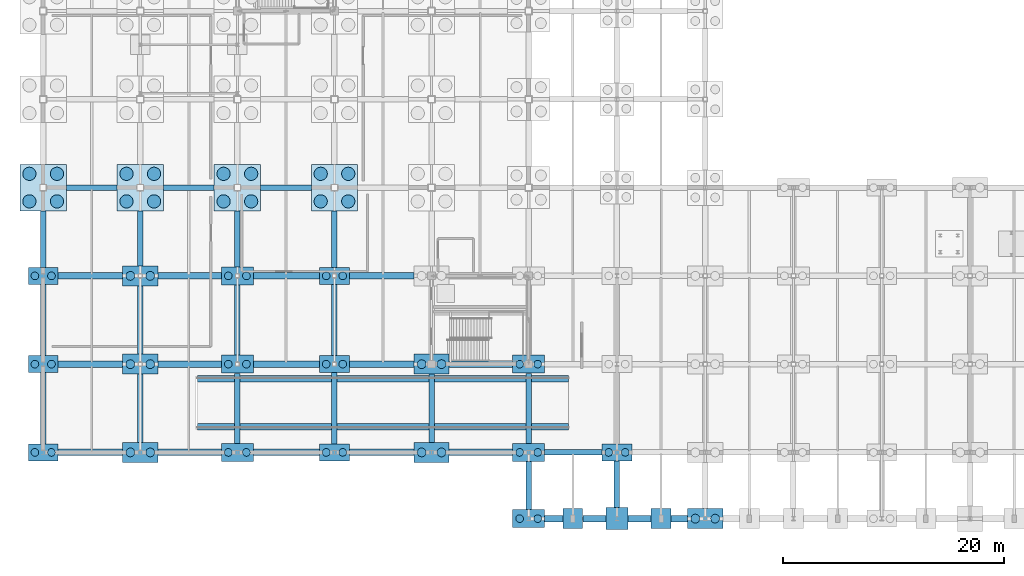
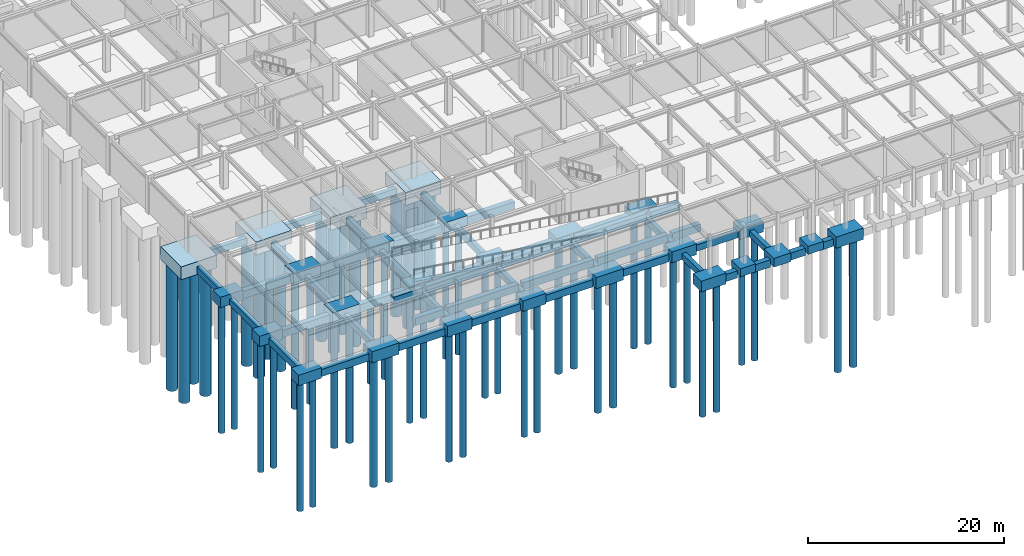
# One storey, part 1 of 72: 74 footings, 54 piles.
"""IFC4 building model written with IfcOpenShell, lengths in metres."""

from ifc_helpers import new_model, si_unit, direction, frame, origin, origin_2d, place, context, subcontext, project, spatial, rectangle, circle, extrude, material, material_profile, profile_set, type_object, element, save


model = new_model("IFC4")

# Units and contexts
model_context = context("Model", 3, precision=1e-05, world=origin(), true_north=direction((0.0, 1.0)))
body_context = subcontext(model_context, "Body", "Model", "MODEL_VIEW")
ifc_project = project(units=[si_unit("LENGTHUNIT", "METRE"), si_unit("AREAUNIT", "SQUARE_METRE"), si_unit("VOLUMEUNIT", "CUBIC_METRE"), si_unit("PLANEANGLEUNIT", "RADIAN"), si_unit("MASSUNIT", "GRAM", prefix="KILO")], contexts=[model_context])

# Site, building, storey
site_placement = place(None, origin())
site = spatial("IfcSite", under=ifc_project, at=site_placement, CompositionType="ELEMENT")
building_placement = place(site_placement, origin())
building = spatial("IfcBuilding", under=site, at=building_placement, Name="Zhaolan Boulevard Law Courts", CompositionType="ELEMENT")
storey_placement = place(building_placement, frame((0.0, 0.0, -4.800048828125)))
storey = spatial("IfcBuildingStorey", under=building, at=storey_placement, Name="B1", CompositionType="ELEMENT", Elevation=-4.800048828125)

# Piles
ifc_material_1 = material(Name="Concrete C40", Category="concrete")
ifc_material_profile_1 = material_profile(ifc_material_1, circle(Radius=0.60009765625, at=origin_2d()), Name="PILE-D1200")
ifc_profile_set_1 = profile_set([ifc_material_profile_1], Name="Concrete C40")
pile_type_1 = type_object("IfcPileType", Name="BORED PILE D1200", PredefinedType="BORED", material=ifc_profile_set_1)
for number, where, z_axis, x_axis, name in (
    (1, (-1.25, 28.75, -1.5), (0.0, 0.0, -1.0), (1.0, 0.0, 0.0), "Bored Pile P-1E-1"),
    (2, (1.25, 28.75, -1.5), (0.0, 0.0, -1.0), (1.0, 0.0, 0.0), "Bored Pile P-1E-2"),
    (3, (-1.25, 31.25, -1.5), (0.0, 0.0, -1.0), (1.0, 0.0, 0.0), "Bored Pile P-1E-3"),
    (4, (1.25, 31.25, -1.5), (0.0, 0.0, -1.0), (1.0, 0.0, 0.0), "Bored Pile P-1E-4"),
    (5, (7.550048828125, 28.75, -1.5), (0.0, 0.0, -1.0), (1.0, 0.0, 0.0), "Bored Pile P-2E-1"),
    (6, (10.050048828125, 28.75, -1.5), (0.0, 0.0, -1.0), (1.0, 0.0, 0.0), "Bored Pile P-2E-2"),
    (7, (7.550048828125, 31.25, -1.5), (0.0, 0.0, -1.0), (1.0, 0.0, 0.0), "Bored Pile P-2E-3"),
    (8, (10.050048828125, 31.25, -1.5), (0.0, 0.0, -1.0), (1.0, 0.0, 0.0), "Bored Pile P-2E-4"),
    (9, (16.35009765625, 28.75, -1.5), (0.0, 0.0, -1.0), (1.0, 0.0, 0.0), "Bored Pile P-3E-1"),
    (10, (18.85009765625, 28.75, -1.5), (0.0, 0.0, -1.0), (1.0, 0.0, 0.0), "Bored Pile P-3E-2"),
    (11, (16.35009765625, 31.25, -1.5), (0.0, 0.0, -1.0), (1.0, 0.0, 0.0), "Bored Pile P-3E-3"),
    (12, (18.85009765625, 31.25, -1.5), (0.0, 0.0, -1.0), (1.0, 0.0, 0.0), "Bored Pile P-3E-4"),
    (13, (25.14990234375, 28.75, -1.5), (0.0, 0.0, -1.0), (1.0, 0.0, 0.0), "Bored Pile P-4E-1"),
    (14, (27.64990234375, 28.75, -1.5), (0.0, 0.0, -1.0), (1.0, 0.0, 0.0), "Bored Pile P-4E-2"),
    (15, (25.14990234375, 31.25, -1.5), (0.0, 0.0, -1.0), (1.0, 0.0, 0.0), "Bored Pile P-4E-3"),
    (16, (27.64990234375, 31.25, -1.5), (0.0, 0.0, -1.0), (1.0, 0.0, 0.0), "Bored Pile P-4E-4"),
):
    element("IfcPile", number, at=place(storey_placement, frame(where, z_axis=z_axis, x_axis=x_axis)), inside=storey, type_object=pile_type_1, Name=name, PredefinedType="BORED", context=body_context, shape_type="SweptSolid", body=[
        extrude(circle(Radius=0.60009765625, at=origin_2d()), origin(), (0.0, 0.0, 1.0), 15.89990234375),
    ])
ifc_material_2 = material(Name="Concrete C40", Category="concrete")
ifc_material_profile_2 = material_profile(ifc_material_2, circle(Radius=0.35009765625, at=origin_2d()), Name="PILE-D700")
ifc_profile_set_2 = profile_set([ifc_material_profile_2], Name="Concrete C40")
pile_type_2 = type_object("IfcPileType", Name="BORED PILE D700", PredefinedType="BORED", material=ifc_profile_set_2)
for number, where, z_axis, x_axis, name in (
    (17, (-0.75, 6.0, -1.199951171875), (0.0, 0.0, -1.0), (1.0, 0.0, 0.0), "Bored Pile P-1B-1"),
    (18, (0.75, 6.0, -1.199951171875), (0.0, 0.0, -1.0), (1.0, 0.0, 0.0), "Bored Pile P-1B-2"),
    (19, (-0.75, 14.0, -1.199951171875), (0.0, 0.0, -1.0), (1.0, 0.0, 0.0), "Bored Pile P-1C-1"),
    (20, (0.75, 14.0, -1.199951171875), (0.0, 0.0, -1.0), (1.0, 0.0, 0.0), "Bored Pile P-1C-2"),
    (21, (-0.75, 22.0, -1.199951171875), (0.0, 0.0, -1.0), (1.0, 0.0, 0.0), "Bored Pile P-1D-1"),
    (22, (0.75, 22.0, -1.199951171875), (0.0, 0.0, -1.0), (1.0, 0.0, 0.0), "Bored Pile P-1D-2"),
):
    element("IfcPile", number, at=place(storey_placement, frame(where, z_axis=z_axis, x_axis=x_axis)), inside=storey, type_object=pile_type_2, Name=name, PredefinedType="BORED", context=body_context, shape_type="SweptSolid", body=[
        extrude(circle(Radius=0.35009765625, at=origin_2d()), origin(), (0.0, 0.0, 1.0), 16.199951171875),
    ])
for number, where, z_axis, x_axis, name in (
    (23, (16.780029296875, 6.0, -1.25), (0.0, 0.0, -1.0), (1.0, 0.0, 0.0), "Bored Pile P-3B-1"),
    (24, (18.419921875, 6.0, -1.25), (0.0, 0.0, -1.0), (1.0, 0.0, 0.0), "Bored Pile P-3B-2"),
    (25, (16.780029296875, 14.0, -1.25), (0.0, 0.0, -1.0), (1.0, 0.0, 0.0), "Bored Pile P-3C-1"),
    (26, (18.419921875, 14.0, -1.25), (0.0, 0.0, -1.0), (1.0, 0.0, 0.0), "Bored Pile P-3C-2"),
    (27, (16.780029296875, 22.0, -1.25), (0.0, 0.0, -1.0), (1.0, 0.0, 0.0), "Bored Pile P-3D-1"),
    (28, (18.419921875, 22.0, -1.25), (0.0, 0.0, -1.0), (1.0, 0.0, 0.0), "Bored Pile P-3D-2"),
):
    element("IfcPile", number, at=place(storey_placement, frame(where, z_axis=z_axis, x_axis=x_axis)), inside=storey, type_object=pile_type_2, Name=name, PredefinedType="BORED", context=body_context, shape_type="SweptSolid", body=[
        extrude(circle(Radius=0.35009765625, at=origin_2d()), origin(), (0.0, 0.0, 1.0), 16.14990234375),
    ])
for number, where, z_axis, x_axis, name in (
    (29, (25.64990234375, 6.0, -1.199951171875), (0.0, 0.0, -1.0), (1.0, 0.0, 0.0), "Bored Pile P-4B-1"),
    (30, (27.14990234375, 6.0, -1.199951171875), (0.0, 0.0, -1.0), (1.0, 0.0, 0.0), "Bored Pile P-4B-2"),
    (31, (25.64990234375, 14.0, -1.199951171875), (0.0, 0.0, -1.0), (1.0, 0.0, 0.0), "Bored Pile P-4C-1"),
    (32, (27.14990234375, 14.0, -1.199951171875), (0.0, 0.0, -1.0), (1.0, 0.0, 0.0), "Bored Pile P-4C-2"),
    (33, (25.64990234375, 22.0, -1.199951171875), (0.0, 0.0, -1.0), (1.0, 0.0, 0.0), "Bored Pile P-4D-1"),
    (34, (27.14990234375, 22.0, -1.199951171875), (0.0, 0.0, -1.0), (1.0, 0.0, 0.0), "Bored Pile P-4D-2"),
):
    element("IfcPile", number, at=place(storey_placement, frame(where, z_axis=z_axis, x_axis=x_axis)), inside=storey, type_object=pile_type_2, Name=name, PredefinedType="BORED", context=body_context, shape_type="SweptSolid", body=[
        extrude(circle(Radius=0.35009765625, at=origin_2d()), origin(), (0.0, 0.0, 1.0), 16.199951171875),
    ])
for number, where, z_axis, x_axis, name in (
    (35, (43.179931640625, 0.0, -1.25), (0.0, 0.0, -1.0), (1.0, 0.0, 0.0), "Bored Pile P-6A-1"),
    (36, (44.820068359375, 0.0, -1.25), (0.0, 0.0, -1.0), (1.0, 0.0, 0.0), "Bored Pile P-6A-2"),
    (37, (43.179931640625, 6.0, -1.25), (0.0, 0.0, -1.0), (1.0, 0.0, 0.0), "Bored Pile P-6B-1"),
    (38, (44.820068359375, 6.0, -1.25), (0.0, 0.0, -1.0), (1.0, 0.0, 0.0), "Bored Pile P-6B-2"),
    (39, (43.179931640625, 14.0, -1.25), (0.0, 0.0, -1.0), (1.0, 0.0, 0.0), "Bored Pile P-6C-1"),
    (40, (44.820068359375, 14.0, -1.25), (0.0, 0.0, -1.0), (1.0, 0.0, 0.0), "Bored Pile P-6C-2"),
):
    element("IfcPile", number, at=place(storey_placement, frame(where, z_axis=z_axis, x_axis=x_axis)), inside=storey, type_object=pile_type_2, Name=name, PredefinedType="BORED", context=body_context, shape_type="SweptSolid", body=[
        extrude(circle(Radius=0.35009765625, at=origin_2d()), origin(), (0.0, 0.0, 1.0), 16.14990234375),
    ])
for number, where, z_axis, x_axis, name in (
    (41, (51.25, 6.0, -1.199951171875), (0.0, 0.0, -1.0), (1.0, 0.0, 0.0), "Bored Pile P-7B-1"),
    (42, (52.75, 6.0, -1.199951171875), (0.0, 0.0, -1.0), (1.0, 0.0, 0.0), "Bored Pile P-7B-2"),
):
    element("IfcPile", number, at=place(storey_placement, frame(where, z_axis=z_axis, x_axis=x_axis)), inside=storey, type_object=pile_type_2, Name=name, PredefinedType="BORED", context=body_context, shape_type="SweptSolid", body=[
        extrude(circle(Radius=0.35009765625, at=origin_2d()), origin(), (0.0, 0.0, 1.0), 16.199951171875),
    ])
ifc_material_3 = material(Name="Concrete C40", Category="concrete")
ifc_material_profile_3 = material_profile(ifc_material_3, circle(Radius=0.39990234375, at=origin_2d()), Name="PILE-D800")
ifc_profile_set_3 = profile_set([ifc_material_profile_3], Name="Concrete C40")
pile_type_3 = type_object("IfcPileType", Name="BORED PILE D800", PredefinedType="BORED", material=ifc_profile_set_3)
for number, where, z_axis, x_axis, name in (
    (43, (7.89990234375, 6.0, -1.300048828125), (0.0, 0.0, -1.0), (1.0, 0.0, 0.0), "Bored Pile P-2B-1"),
    (44, (9.699951171875, 6.0, -1.300048828125), (0.0, 0.0, -1.0), (1.0, 0.0, 0.0), "Bored Pile P-2B-2"),
    (45, (7.89990234375, 14.0, -1.300048828125), (0.0, 0.0, -1.0), (1.0, 0.0, 0.0), "Bored Pile P-2C-1"),
    (46, (9.699951171875, 14.0, -1.300048828125), (0.0, 0.0, -1.0), (1.0, 0.0, 0.0), "Bored Pile P-2C-2"),
    (47, (7.89990234375, 22.0, -1.300048828125), (0.0, 0.0, -1.0), (1.0, 0.0, 0.0), "Bored Pile P-2D-1"),
    (48, (9.699951171875, 22.0, -1.300048828125), (0.0, 0.0, -1.0), (1.0, 0.0, 0.0), "Bored Pile P-2D-2"),
    (49, (34.300048828125, 6.0, -1.300048828125), (0.0, 0.0, -1.0), (1.0, 0.0, 0.0), "Bored Pile P-5B-1"),
    (50, (36.10009765625, 6.0, -1.300048828125), (0.0, 0.0, -1.0), (1.0, 0.0, 0.0), "Bored Pile P-5B-2"),
    (51, (34.300048828125, 14.0, -1.300048828125), (0.0, 0.0, -1.0), (1.0, 0.0, 0.0), "Bored Pile P-5C-1"),
    (52, (36.10009765625, 14.0, -1.300048828125), (0.0, 0.0, -1.0), (1.0, 0.0, 0.0), "Bored Pile P-5C-2"),
    (53, (59.10009765625, 0.0, -1.300048828125), (0.0, 0.0, -1.0), (1.0, 0.0, 0.0), "Bored Pile P-8A-1"),
    (54, (60.89990234375, 0.0, -1.300048828125), (0.0, 0.0, -1.0), (1.0, 0.0, 0.0), "Bored Pile P-8A-2"),
):
    element("IfcPile", number, at=place(storey_placement, frame(where, z_axis=z_axis, x_axis=x_axis)), inside=storey, type_object=pile_type_3, Name=name, PredefinedType="BORED", context=body_context, shape_type="SweptSolid", body=[
        extrude(circle(Radius=0.39990234375, at=origin_2d()), origin(), (0.0, 0.0, 1.0), 16.10009765625),
    ])

# Footings
ifc_material_4 = material(Name="Concrete C40", Category="concrete")
footing_type_1 = type_object("IfcFootingType", Name="PAD FOOTING 1800X1800X1000", PredefinedType="PAD_FOOTING", material=ifc_material_4)
for number, where, z_axis, x_axis, name in (
    (55, (48.0, 0.0, -1.0), (0.0, 0.0, 1.0), (1.0, 0.0, 0.0), "Pilaster Pad Footing PFP-01"),
    (56, (56.0, 0.0, -1.0), (0.0, 0.0, 1.0), (1.0, 0.0, 0.0), "Pilaster Pad Footing PFP-02"),
):
    element("IfcFooting", number, at=place(storey_placement, frame(where, z_axis=z_axis, x_axis=x_axis)), inside=storey, type_object=footing_type_1, Name=name, PredefinedType="PAD_FOOTING", context=body_context, shape_type="SweptSolid", body=[
        extrude(rectangle(XDim=1.800048828125, YDim=1.800048828125, at=origin_2d()), origin(), (0.0, 0.0, 1.0), 1.0),
    ])
ifc_material_5 = material(Name="Concrete C40", Category="concrete")
footing_type_2 = type_object("IfcFootingType", Name="PAD FOOTING 2000X2000X1100", PredefinedType="PAD_FOOTING", material=ifc_material_5)
footing_1_placement = place(storey_placement, frame((52.0, 0.0, -1.10009765625), z_axis=(0.0, 0.0, 1.0), x_axis=(1.0, 0.0, 0.0)))
element("IfcFooting", 57, at=footing_1_placement, inside=storey, type_object=footing_type_2, Name="Pad Footing PF-7A", PredefinedType="PAD_FOOTING", context=body_context, shape_type="SweptSolid", body=[
    extrude(rectangle(XDim=2.0, YDim=2.0, at=origin_2d()), origin(), (0.0, 0.0, 1.0), 1.10009765625),
])
ifc_material_6 = material(Name="Concrete C40", Category="concrete")
footing_type_3 = type_object("IfcFootingType", Name="PILE CAP 2700X1550X1300", PredefinedType="PILE_CAP", material=ifc_material_6)
for number, where, z_axis, x_axis, name in (
    (58, (0.0, 6.0, -1.2998046875), (0.0, 0.0, 1.0), (1.0, 0.0, 0.0), "Pile Cap PC-1B"),
    (59, (0.0, 14.0, -1.2998046875), (0.0, 0.0, 1.0), (1.0, 0.0, 0.0), "Pile Cap PC-1C"),
    (60, (0.0, 22.0, -1.2998046875), (0.0, 0.0, 1.0), (1.0, 0.0, 0.0), "Pile Cap PC-1D"),
    (61, (26.39990234375, 6.0, -1.2998046875), (0.0, 0.0, 1.0), (1.0, 0.0, 0.0), "Pile Cap PC-4B"),
    (62, (26.39990234375, 14.0, -1.2998046875), (0.0, 0.0, 1.0), (1.0, 0.0, 0.0), "Pile Cap PC-4C"),
    (63, (26.39990234375, 22.0, -1.2998046875), (0.0, 0.0, 1.0), (1.0, 0.0, 0.0), "Pile Cap PC-4D"),
    (64, (52.0, 6.0, -1.2998046875), (0.0, 0.0, 1.0), (1.0, 0.0, 0.0), "Pile Cap PC-7B"),
):
    element("IfcFooting", number, at=place(storey_placement, frame(where, z_axis=z_axis, x_axis=x_axis)), inside=storey, type_object=footing_type_3, Name=name, PredefinedType="PILE_CAP", context=body_context, shape_type="SweptSolid", body=[
        extrude(rectangle(XDim=2.699951171875, YDim=1.550048828125, at=origin_2d()), origin(), (0.0, 0.0, 1.0), 1.300048828125),
    ])
ifc_material_7 = material(Name="Concrete C40", Category="concrete")
footing_type_4 = type_object("IfcFootingType", Name="PILE CAP 2900X1650X1350", PredefinedType="PILE_CAP", material=ifc_material_7)
for number, where, z_axis, x_axis, name in (
    (65, (17.60009765625, 6.0, -1.35009765625), (0.0, 0.0, 1.0), (1.0, 0.0, 0.0), "Pile Cap PC-3B"),
    (66, (17.60009765625, 14.0, -1.35009765625), (0.0, 0.0, 1.0), (1.0, 0.0, 0.0), "Pile Cap PC-3C"),
    (67, (17.60009765625, 22.0, -1.35009765625), (0.0, 0.0, 1.0), (1.0, 0.0, 0.0), "Pile Cap PC-3D"),
    (68, (44.0, 0.0, -1.35009765625), (0.0, 0.0, 1.0), (1.0, 0.0, 0.0), "Pile Cap PC-6A"),
    (69, (44.0, 6.0, -1.35009765625), (0.0, 0.0, 1.0), (1.0, 0.0, 0.0), "Pile Cap PC-6B"),
    (70, (44.0, 14.0, -1.35009765625), (0.0, 0.0, 1.0), (1.0, 0.0, 0.0), "Pile Cap PC-6C"),
):
    element("IfcFooting", number, at=place(storey_placement, frame(where, z_axis=z_axis, x_axis=x_axis)), inside=storey, type_object=footing_type_4, Name=name, PredefinedType="PILE_CAP", context=body_context, shape_type="SweptSolid", body=[
        extrude(rectangle(XDim=2.89990234375, YDim=1.64990234375, at=origin_2d()), origin(), (0.0, 0.0, 1.0), 1.35009765625),
    ])
ifc_material_8 = material(Name="Concrete C40", Category="concrete")
footing_type_5 = type_object("IfcFootingType", Name="PILE CAP 3200X1800X1400", PredefinedType="PILE_CAP", material=ifc_material_8)
for number, where, z_axis, x_axis, name in (
    (71, (8.800048828125, 6.0, -1.39990234375), (0.0, 0.0, 1.0), (1.0, 0.0, 0.0), "Pile Cap PC-2B"),
    (72, (8.800048828125, 14.0, -1.39990234375), (0.0, 0.0, 1.0), (1.0, 0.0, 0.0), "Pile Cap PC-2C"),
    (73, (8.800048828125, 22.0, -1.39990234375), (0.0, 0.0, 1.0), (1.0, 0.0, 0.0), "Pile Cap PC-2D"),
    (74, (35.199951171875, 6.0, -1.39990234375), (0.0, 0.0, 1.0), (1.0, 0.0, 0.0), "Pile Cap PC-5B"),
    (75, (35.199951171875, 14.0, -1.39990234375), (0.0, 0.0, 1.0), (1.0, 0.0, 0.0), "Pile Cap PC-5C"),
    (76, (60.0, 0.0, -1.39990234375), (0.0, 0.0, 1.0), (1.0, 0.0, 0.0), "Pile Cap PC-8A"),
):
    element("IfcFooting", number, at=place(storey_placement, frame(where, z_axis=z_axis, x_axis=x_axis)), inside=storey, type_object=footing_type_5, Name=name, PredefinedType="PILE_CAP", context=body_context, shape_type="SweptSolid", body=[
        extrude(rectangle(XDim=3.199951171875, YDim=1.800048828125, at=origin_2d()), origin(), (0.0, 0.0, 1.0), 1.39990234375),
    ])
ifc_material_9 = material(Name="Concrete C40", Category="concrete")
footing_type_6 = type_object("IfcFootingType", Name="PILE CAP 4200X4200X1600", PredefinedType="PILE_CAP", material=ifc_material_9)
for number, where, z_axis, x_axis, name in (
    (77, (0.0, 30.0, -1.60009765625), (0.0, 0.0, 1.0), (1.0, 0.0, 0.0), "Pile Cap PC-1E"),
    (78, (8.800048828125, 30.0, -1.60009765625), (0.0, 0.0, 1.0), (1.0, 0.0, 0.0), "Pile Cap PC-2E"),
    (79, (17.60009765625, 30.0, -1.60009765625), (0.0, 0.0, 1.0), (1.0, 0.0, 0.0), "Pile Cap PC-3E"),
    (80, (26.39990234375, 30.0, -1.60009765625), (0.0, 0.0, 1.0), (1.0, 0.0, 0.0), "Pile Cap PC-4E"),
):
    element("IfcFooting", number, at=place(storey_placement, frame(where, z_axis=z_axis, x_axis=x_axis)), inside=storey, type_object=footing_type_6, Name=name, PredefinedType="PILE_CAP", context=body_context, shape_type="SweptSolid", body=[
        extrude(rectangle(XDim=4.199951171875, YDim=4.199951171875, at=origin_2d()), origin(), (0.0, 0.0, 1.0), 1.60009765625),
    ])
ifc_material_10 = material(Name="Concrete C40", Category="concrete")
ifc_material_profile_4 = material_profile(ifc_material_10, rectangle(XDim=0.60009765625, YDim=0.89990234375, at=origin_2d()), Name="RC600x900")
ifc_profile_set_4 = profile_set([ifc_material_profile_4], Name="Concrete C40")
footing_type_7 = type_object("IfcFootingType", Name="STRIP FOOTING 600X900", PredefinedType="STRIP_FOOTING", material=ifc_profile_set_4)
footing_2_placement = place(storey_placement, frame((14.0, 8.320068359375, -0.449951171875), z_axis=(1.0, 0.0, 0.0), x_axis=(0.0, 1.0, 0.0)))
element("IfcFooting", 81, at=footing_2_placement, inside=storey, type_object=footing_type_7, Name="Vehicle Ramp Strip Footing SF-VRS-1", PredefinedType="STRIP_FOOTING", context=body_context, shape_type="SweptSolid", body=[
    extrude(rectangle(XDim=0.60009765625, YDim=0.89990234375, at=origin_2d()), origin(), (0.0, 0.0, 1.0), 3.347900390625),
])
for number, where, z_axis, x_axis, name in (
    (82, (17.85205078125, 8.320068359375, -0.449951171875), (1.0, 0.0, 0.0), (0.0, 1.0, 0.0), "Vehicle Ramp Strip Footing SF-VRS-2"),
    (83, (26.652099609375, 8.320068359375, -0.449951171875), (1.0, 0.0, 0.0), (0.0, 1.0, 0.0), "Vehicle Ramp Strip Footing SF-VRS-3"),
):
    element("IfcFooting", number, at=place(storey_placement, frame(where, z_axis=z_axis, x_axis=x_axis)), inside=storey, type_object=footing_type_7, Name=name, PredefinedType="STRIP_FOOTING", context=body_context, shape_type="SweptSolid", body=[
        extrude(rectangle(XDim=0.60009765625, YDim=0.89990234375, at=origin_2d()), origin(), (0.0, 0.0, 1.0), 8.2958984375),
    ])
footing_3_placement = place(storey_placement, frame((35.451904296875, 8.320068359375, -0.449951171875), z_axis=(1.0, 0.0, 0.0), x_axis=(0.0, 1.0, 0.0)))
element("IfcFooting", 84, at=footing_3_placement, inside=storey, type_object=footing_type_7, Name="Vehicle Ramp Strip Footing SF-VRS-4", PredefinedType="STRIP_FOOTING", context=body_context, shape_type="SweptSolid", body=[
    extrude(rectangle(XDim=0.60009765625, YDim=0.89990234375, at=origin_2d()), origin(), (0.0, 0.0, 1.0), 8.296142578125),
])
footing_4_placement = place(storey_placement, frame((44.251953125, 8.320068359375, -0.449951171875), z_axis=(1.0, 0.0, 0.0), x_axis=(0.0, 1.0, 0.0)))
element("IfcFooting", 85, at=footing_4_placement, inside=storey, type_object=footing_type_7, Name="Vehicle Ramp Strip Footing SF-VRS-5", PredefinedType="STRIP_FOOTING", context=body_context, shape_type="SweptSolid", body=[
    extrude(rectangle(XDim=0.60009765625, YDim=0.89990234375, at=origin_2d()), origin(), (0.0, 0.0, 1.0), 3.34814453125),
])
footing_5_placement = place(storey_placement, frame((14.0, 12.679931640625, -0.449951171875), z_axis=(1.0, 0.0, 0.0), x_axis=(0.0, 1.0, 0.0)))
element("IfcFooting", 86, at=footing_5_placement, inside=storey, type_object=footing_type_7, Name="Vehicle Ramp Strip Footing SF-VRN-1", PredefinedType="STRIP_FOOTING", context=body_context, shape_type="SweptSolid", body=[
    extrude(rectangle(XDim=0.60009765625, YDim=0.89990234375, at=origin_2d()), origin(), (0.0, 0.0, 1.0), 3.347900390625),
])
for number, where, z_axis, x_axis, name in (
    (87, (17.85205078125, 12.679931640625, -0.449951171875), (1.0, 0.0, 0.0), (0.0, 1.0, 0.0), "Vehicle Ramp Strip Footing SF-VRN-2"),
    (88, (26.652099609375, 12.679931640625, -0.449951171875), (1.0, 0.0, 0.0), (0.0, 1.0, 0.0), "Vehicle Ramp Strip Footing SF-VRN-3"),
):
    element("IfcFooting", number, at=place(storey_placement, frame(where, z_axis=z_axis, x_axis=x_axis)), inside=storey, type_object=footing_type_7, Name=name, PredefinedType="STRIP_FOOTING", context=body_context, shape_type="SweptSolid", body=[
        extrude(rectangle(XDim=0.60009765625, YDim=0.89990234375, at=origin_2d()), origin(), (0.0, 0.0, 1.0), 8.2958984375),
    ])
footing_6_placement = place(storey_placement, frame((35.451904296875, 12.679931640625, -0.449951171875), z_axis=(1.0, 0.0, 0.0), x_axis=(0.0, 1.0, 0.0)))
element("IfcFooting", 89, at=footing_6_placement, inside=storey, type_object=footing_type_7, Name="Vehicle Ramp Strip Footing SF-VRN-4", PredefinedType="STRIP_FOOTING", context=body_context, shape_type="SweptSolid", body=[
    extrude(rectangle(XDim=0.60009765625, YDim=0.89990234375, at=origin_2d()), origin(), (0.0, 0.0, 1.0), 8.296142578125),
])
footing_7_placement = place(storey_placement, frame((44.251953125, 12.679931640625, -0.449951171875), z_axis=(1.0, 0.0, 0.0), x_axis=(0.0, 1.0, 0.0)))
element("IfcFooting", 90, at=footing_7_placement, inside=storey, type_object=footing_type_7, Name="Vehicle Ramp Strip Footing SF-VRN-5", PredefinedType="STRIP_FOOTING", context=body_context, shape_type="SweptSolid", body=[
    extrude(rectangle(XDim=0.60009765625, YDim=0.89990234375, at=origin_2d()), origin(), (0.0, 0.0, 1.0), 3.34814453125),
])
ifc_material_11 = material(Name="Concrete C40", Category="concrete")
ifc_material_profile_5 = material_profile(ifc_material_11, rectangle(XDim=0.5, YDim=0.800048828125, at=origin_2d()), Name="RC500x800")
ifc_profile_set_5 = profile_set([ifc_material_profile_5], Name="Concrete C40")
footing_type_8 = type_object("IfcFootingType", Name="TIE BEAM 500X800", PredefinedType="FOOTING_BEAM", material=ifc_profile_set_5)
for number, where, z_axis, x_axis, name in (
    (91, (2.10205078125, 30.0, -1.0), (1.0, 0.0, 0.0), (0.0, 1.0, 0.0), "Foundation Tie Beam TBX-1-2-E"),
    (92, (10.902099609375, 30.0, -1.0), (1.0, 0.0, 0.0), (0.0, 1.0, 0.0), "Foundation Tie Beam TBX-2-3-E"),
):
    element("IfcFooting", number, at=place(storey_placement, frame(where, z_axis=z_axis, x_axis=x_axis)), inside=storey, type_object=footing_type_8, Name=name, PredefinedType="FOOTING_BEAM", context=body_context, shape_type="SweptSolid", body=[
        extrude(rectangle(XDim=0.5, YDim=0.800048828125, at=origin_2d()), origin(), (0.0, 0.0, 1.0), 4.595947265625),
    ])
footing_8_placement = place(storey_placement, frame((19.701904296875, 30.0, -1.0), z_axis=(1.0, 0.0, 0.0), x_axis=(0.0, 1.0, 0.0)))
element("IfcFooting", 93, at=footing_8_placement, inside=storey, type_object=footing_type_8, Name="Foundation Tie Beam TBX-3-4-E", PredefinedType="FOOTING_BEAM", context=body_context, shape_type="SweptSolid", body=[
    extrude(rectangle(XDim=0.5, YDim=0.800048828125, at=origin_2d()), origin(), (0.0, 0.0, 1.0), 4.59619140625),
])
footing_9_placement = place(storey_placement, frame((45.451904296875, 6.0, -1.0), z_axis=(1.0, 0.0, 0.0), x_axis=(0.0, 1.0, 0.0)))
element("IfcFooting", 94, at=footing_9_placement, inside=storey, type_object=footing_type_8, Name="Foundation Tie Beam TBX-6-7-B", PredefinedType="FOOTING_BEAM", context=body_context, shape_type="SweptSolid", body=[
    extrude(rectangle(XDim=0.5, YDim=0.800048828125, at=origin_2d()), origin(), (0.0, 0.0, 1.0), 5.196044921875),
])
for number, where, z_axis, x_axis, name in (
    (95, (0.0, 6.777099609375, -1.0), (0.0, 1.0, 0.0), (-1.0, 0.0, 0.0), "Foundation Tie Beam TBY-1-B-C"),
    (96, (0.0, 14.777099609375, -1.0), (0.0, 1.0, 0.0), (-1.0, 0.0, 0.0), "Foundation Tie Beam TBY-1-C-D"),
):
    element("IfcFooting", number, at=place(storey_placement, frame(where, z_axis=z_axis, x_axis=x_axis)), inside=storey, type_object=footing_type_8, Name=name, PredefinedType="FOOTING_BEAM", context=body_context, shape_type="SweptSolid", body=[
        extrude(rectangle(XDim=0.5, YDim=0.800048828125, at=origin_2d()), origin(), (0.0, 0.0, 1.0), 6.44580078125),
    ])
footing_10_placement = place(storey_placement, frame((0.0, 22.777099609375, -1.0), z_axis=(0.0, 1.0, 0.0), x_axis=(-1.0, 0.0, 0.0)))
element("IfcFooting", 97, at=footing_10_placement, inside=storey, type_object=footing_type_8, Name="Foundation Tie Beam TBY-1-D-E", PredefinedType="FOOTING_BEAM", context=body_context, shape_type="SweptSolid", body=[
    extrude(rectangle(XDim=0.5, YDim=0.800048828125, at=origin_2d()), origin(), (0.0, 0.0, 1.0), 5.120849609375),
])
for number, where, z_axis, x_axis, name in (
    (98, (8.800048828125, 6.902099609375, -1.0), (0.0, 1.0, 0.0), (-1.0, 0.0, 0.0), "Foundation Tie Beam TBY-2-B-C"),
    (99, (8.800048828125, 14.902099609375, -1.0), (0.0, 1.0, 0.0), (-1.0, 0.0, 0.0), "Foundation Tie Beam TBY-2-C-D"),
):
    element("IfcFooting", number, at=place(storey_placement, frame(where, z_axis=z_axis, x_axis=x_axis)), inside=storey, type_object=footing_type_8, Name=name, PredefinedType="FOOTING_BEAM", context=body_context, shape_type="SweptSolid", body=[
        extrude(rectangle(XDim=0.5, YDim=0.800048828125, at=origin_2d()), origin(), (0.0, 0.0, 1.0), 6.19580078125),
    ])
footing_11_placement = place(storey_placement, frame((8.800048828125, 22.902099609375, -1.0), z_axis=(0.0, 1.0, 0.0), x_axis=(-1.0, 0.0, 0.0)))
element("IfcFooting", 100, at=footing_11_placement, inside=storey, type_object=footing_type_8, Name="Foundation Tie Beam TBY-2-D-E", PredefinedType="FOOTING_BEAM", context=body_context, shape_type="SweptSolid", body=[
    extrude(rectangle(XDim=0.5, YDim=0.800048828125, at=origin_2d()), origin(), (0.0, 0.0, 1.0), 4.995849609375),
])
for number, where, z_axis, x_axis, name in (
    (101, (17.60009765625, 6.826904296875, -1.0), (0.0, 1.0, 0.0), (-1.0, 0.0, 0.0), "Foundation Tie Beam TBY-3-B-C"),
    (102, (17.60009765625, 14.826904296875, -1.0), (0.0, 1.0, 0.0), (-1.0, 0.0, 0.0), "Foundation Tie Beam TBY-3-C-D"),
):
    element("IfcFooting", number, at=place(storey_placement, frame(where, z_axis=z_axis, x_axis=x_axis)), inside=storey, type_object=footing_type_8, Name=name, PredefinedType="FOOTING_BEAM", context=body_context, shape_type="SweptSolid", body=[
        extrude(rectangle(XDim=0.5, YDim=0.800048828125, at=origin_2d()), origin(), (0.0, 0.0, 1.0), 6.34619140625),
    ])
footing_12_placement = place(storey_placement, frame((17.60009765625, 22.826904296875, -1.0), z_axis=(0.0, 1.0, 0.0), x_axis=(-1.0, 0.0, 0.0)))
element("IfcFooting", 103, at=footing_12_placement, inside=storey, type_object=footing_type_8, Name="Foundation Tie Beam TBY-3-D-E", PredefinedType="FOOTING_BEAM", context=body_context, shape_type="SweptSolid", body=[
    extrude(rectangle(XDim=0.5, YDim=0.800048828125, at=origin_2d()), origin(), (0.0, 0.0, 1.0), 5.071044921875),
])
for number, where, z_axis, x_axis, name in (
    (104, (26.39990234375, 6.777099609375, -1.0), (0.0, 1.0, 0.0), (-1.0, 0.0, 0.0), "Foundation Tie Beam TBY-4-B-C"),
    (105, (26.39990234375, 14.777099609375, -1.0), (0.0, 1.0, 0.0), (-1.0, 0.0, 0.0), "Foundation Tie Beam TBY-4-C-D"),
):
    element("IfcFooting", number, at=place(storey_placement, frame(where, z_axis=z_axis, x_axis=x_axis)), inside=storey, type_object=footing_type_8, Name=name, PredefinedType="FOOTING_BEAM", context=body_context, shape_type="SweptSolid", body=[
        extrude(rectangle(XDim=0.5, YDim=0.800048828125, at=origin_2d()), origin(), (0.0, 0.0, 1.0), 6.44580078125),
    ])
footing_13_placement = place(storey_placement, frame((26.39990234375, 22.777099609375, -1.0), z_axis=(0.0, 1.0, 0.0), x_axis=(-1.0, 0.0, 0.0)))
element("IfcFooting", 106, at=footing_13_placement, inside=storey, type_object=footing_type_8, Name="Foundation Tie Beam TBY-4-D-E", PredefinedType="FOOTING_BEAM", context=body_context, shape_type="SweptSolid", body=[
    extrude(rectangle(XDim=0.5, YDim=0.800048828125, at=origin_2d()), origin(), (0.0, 0.0, 1.0), 5.120849609375),
])
footing_14_placement = place(storey_placement, frame((35.199951171875, 6.902099609375, -1.0), z_axis=(0.0, 1.0, 0.0), x_axis=(-1.0, 0.0, 0.0)))
element("IfcFooting", 107, at=footing_14_placement, inside=storey, type_object=footing_type_8, Name="Foundation Tie Beam TBY-5-B-C", PredefinedType="FOOTING_BEAM", context=body_context, shape_type="SweptSolid", body=[
    extrude(rectangle(XDim=0.5, YDim=0.800048828125, at=origin_2d()), origin(), (0.0, 0.0, 1.0), 6.19580078125),
])
footing_15_placement = place(storey_placement, frame((44.0, 0.826904296875, -1.0), z_axis=(0.0, 1.0, 0.0), x_axis=(-1.0, 0.0, 0.0)))
element("IfcFooting", 108, at=footing_15_placement, inside=storey, type_object=footing_type_8, Name="Foundation Tie Beam TBY-6-A-B", PredefinedType="FOOTING_BEAM", context=body_context, shape_type="SweptSolid", body=[
    extrude(rectangle(XDim=0.5, YDim=0.800048828125, at=origin_2d()), origin(), (0.0, 0.0, 1.0), 4.34619140625),
])
footing_16_placement = place(storey_placement, frame((44.0, 6.826904296875, -1.0), z_axis=(0.0, 1.0, 0.0), x_axis=(-1.0, 0.0, 0.0)))
element("IfcFooting", 109, at=footing_16_placement, inside=storey, type_object=footing_type_8, Name="Foundation Tie Beam TBY-6-B-C", PredefinedType="FOOTING_BEAM", context=body_context, shape_type="SweptSolid", body=[
    extrude(rectangle(XDim=0.5, YDim=0.800048828125, at=origin_2d()), origin(), (0.0, 0.0, 1.0), 6.34619140625),
])
footing_17_placement = place(storey_placement, frame((52.0, 1.001953125, -1.0), z_axis=(0.0, 1.0, 0.0), x_axis=(-1.0, 0.0, 0.0)))
element("IfcFooting", 110, at=footing_17_placement, inside=storey, type_object=footing_type_8, Name="Foundation Tie Beam TBY-7-A-B", PredefinedType="FOOTING_BEAM", context=body_context, shape_type="SweptSolid", body=[
    extrude(rectangle(XDim=0.5, YDim=0.800048828125, at=origin_2d()), origin(), (0.0, 0.0, 1.0), 4.220947265625),
])
ifc_material_12 = material(Name="Concrete C40", Category="concrete")
ifc_material_profile_6 = material_profile(ifc_material_12, rectangle(XDim=0.60009765625, YDim=0.89990234375, at=origin_2d()), Name="RC600x900")
ifc_profile_set_6 = profile_set([ifc_material_profile_6], Name="Concrete C40")
footing_type_9 = type_object("IfcFootingType", Name="TIE BEAM 600X900", PredefinedType="FOOTING_BEAM", material=ifc_profile_set_6)
for number, where, z_axis, x_axis, name in (
    (111, (1.35205078125, 6.0, -1.050048828125), (1.0, 0.0, 0.0), (0.0, 1.0, 0.0), "Foundation Tie Beam TBX-1-2-B"),
    (112, (1.35205078125, 14.0, -1.050048828125), (1.0, 0.0, 0.0), (0.0, 1.0, 0.0), "Foundation Tie Beam TBX-1-2-C"),
    (113, (1.35205078125, 22.0, -1.050048828125), (1.0, 0.0, 0.0), (0.0, 1.0, 0.0), "Foundation Tie Beam TBX-1-2-D"),
):
    element("IfcFooting", number, at=place(storey_placement, frame(where, z_axis=z_axis, x_axis=x_axis)), inside=storey, type_object=footing_type_9, Name=name, PredefinedType="FOOTING_BEAM", context=body_context, shape_type="SweptSolid", body=[
        extrude(rectangle(XDim=0.60009765625, YDim=0.89990234375, at=origin_2d()), origin(), (0.0, 0.0, 1.0), 5.845947265625),
    ])
for number, where, z_axis, x_axis, name in (
    (114, (10.402099609375, 6.0, -1.050048828125), (1.0, 0.0, 0.0), (0.0, 1.0, 0.0), "Foundation Tie Beam TBX-2-3-B"),
    (115, (10.402099609375, 14.0, -1.050048828125), (1.0, 0.0, 0.0), (0.0, 1.0, 0.0), "Foundation Tie Beam TBX-2-3-C"),
    (116, (10.402099609375, 22.0, -1.050048828125), (1.0, 0.0, 0.0), (0.0, 1.0, 0.0), "Foundation Tie Beam TBX-2-3-D"),
):
    element("IfcFooting", number, at=place(storey_placement, frame(where, z_axis=z_axis, x_axis=x_axis)), inside=storey, type_object=footing_type_9, Name=name, PredefinedType="FOOTING_BEAM", context=body_context, shape_type="SweptSolid", body=[
        extrude(rectangle(XDim=0.60009765625, YDim=0.89990234375, at=origin_2d()), origin(), (0.0, 0.0, 1.0), 5.745849609375),
    ])
for number, where, z_axis, x_axis, name in (
    (117, (19.052001953125, 6.0, -1.050048828125), (1.0, 0.0, 0.0), (0.0, 1.0, 0.0), "Foundation Tie Beam TBX-3-4-B"),
    (118, (19.052001953125, 14.0, -1.050048828125), (1.0, 0.0, 0.0), (0.0, 1.0, 0.0), "Foundation Tie Beam TBX-3-4-C"),
    (119, (19.052001953125, 22.0, -1.050048828125), (1.0, 0.0, 0.0), (0.0, 1.0, 0.0), "Foundation Tie Beam TBX-3-4-D"),
):
    element("IfcFooting", number, at=place(storey_placement, frame(where, z_axis=z_axis, x_axis=x_axis)), inside=storey, type_object=footing_type_9, Name=name, PredefinedType="FOOTING_BEAM", context=body_context, shape_type="SweptSolid", body=[
        extrude(rectangle(XDim=0.60009765625, YDim=0.89990234375, at=origin_2d()), origin(), (0.0, 0.0, 1.0), 5.99609375),
    ])
for number, where, z_axis, x_axis, name in (
    (120, (27.751953125, 6.0, -1.050048828125), (1.0, 0.0, 0.0), (0.0, 1.0, 0.0), "Foundation Tie Beam TBX-4-5-B"),
    (121, (27.751953125, 14.0, -1.050048828125), (1.0, 0.0, 0.0), (0.0, 1.0, 0.0), "Foundation Tie Beam TBX-4-5-C"),
    (122, (27.751953125, 22.0, -1.050048828125), (1.0, 0.0, 0.0), (0.0, 1.0, 0.0), "Foundation Tie Beam TBX-4-5-D"),
):
    element("IfcFooting", number, at=place(storey_placement, frame(where, z_axis=z_axis, x_axis=x_axis)), inside=storey, type_object=footing_type_9, Name=name, PredefinedType="FOOTING_BEAM", context=body_context, shape_type="SweptSolid", body=[
        extrude(rectangle(XDim=0.60009765625, YDim=0.89990234375, at=origin_2d()), origin(), (0.0, 0.0, 1.0), 5.845947265625),
    ])
for number, where, z_axis, x_axis, name in (
    (123, (36.802001953125, 6.0, -1.050048828125), (1.0, 0.0, 0.0), (0.0, 1.0, 0.0), "Foundation Tie Beam TBX-5-6-B"),
    (124, (36.802001953125, 14.0, -1.050048828125), (1.0, 0.0, 0.0), (0.0, 1.0, 0.0), "Foundation Tie Beam TBX-5-6-C"),
):
    element("IfcFooting", number, at=place(storey_placement, frame(where, z_axis=z_axis, x_axis=x_axis)), inside=storey, type_object=footing_type_9, Name=name, PredefinedType="FOOTING_BEAM", context=body_context, shape_type="SweptSolid", body=[
        extrude(rectangle(XDim=0.60009765625, YDim=0.89990234375, at=origin_2d()), origin(), (0.0, 0.0, 1.0), 5.74609375),
    ])
footing_18_placement = place(storey_placement, frame((45.451904296875, 0.0, -1.050048828125), z_axis=(1.0, 0.0, 0.0), x_axis=(0.0, 1.0, 0.0)))
element("IfcFooting", 125, at=footing_18_placement, inside=storey, type_object=footing_type_9, Name="Foundation Tie Beam TBX-6-7-AA", PredefinedType="FOOTING_BEAM", context=body_context, shape_type="SweptSolid", body=[
    extrude(rectangle(XDim=0.60009765625, YDim=0.89990234375, at=origin_2d()), origin(), (0.0, 0.0, 1.0), 1.64599609375),
])
for number, where, z_axis, x_axis, name in (
    (126, (48.902099609375, 0.0, -1.050048828125), (1.0, 0.0, 0.0), (0.0, 1.0, 0.0), "Foundation Tie Beam TBX-6-7-AB"),
    (127, (53.001953125, 0.0, -1.050048828125), (1.0, 0.0, 0.0), (0.0, 1.0, 0.0), "Foundation Tie Beam TBX-7-8-AA"),
):
    element("IfcFooting", number, at=place(storey_placement, frame(where, z_axis=z_axis, x_axis=x_axis)), inside=storey, type_object=footing_type_9, Name=name, PredefinedType="FOOTING_BEAM", context=body_context, shape_type="SweptSolid", body=[
        extrude(rectangle(XDim=0.60009765625, YDim=0.89990234375, at=origin_2d()), origin(), (0.0, 0.0, 1.0), 2.095947265625),
    ])
footing_19_placement = place(storey_placement, frame((56.902099609375, 0.0, -1.050048828125), z_axis=(1.0, 0.0, 0.0), x_axis=(0.0, 1.0, 0.0)))
element("IfcFooting", 128, at=footing_19_placement, inside=storey, type_object=footing_type_9, Name="Foundation Tie Beam TBX-7-8-AB", PredefinedType="FOOTING_BEAM", context=body_context, shape_type="SweptSolid", body=[
    extrude(rectangle(XDim=0.60009765625, YDim=0.89990234375, at=origin_2d()), origin(), (0.0, 0.0, 1.0), 1.495849609375),
])

save(model, "model.ifc")
